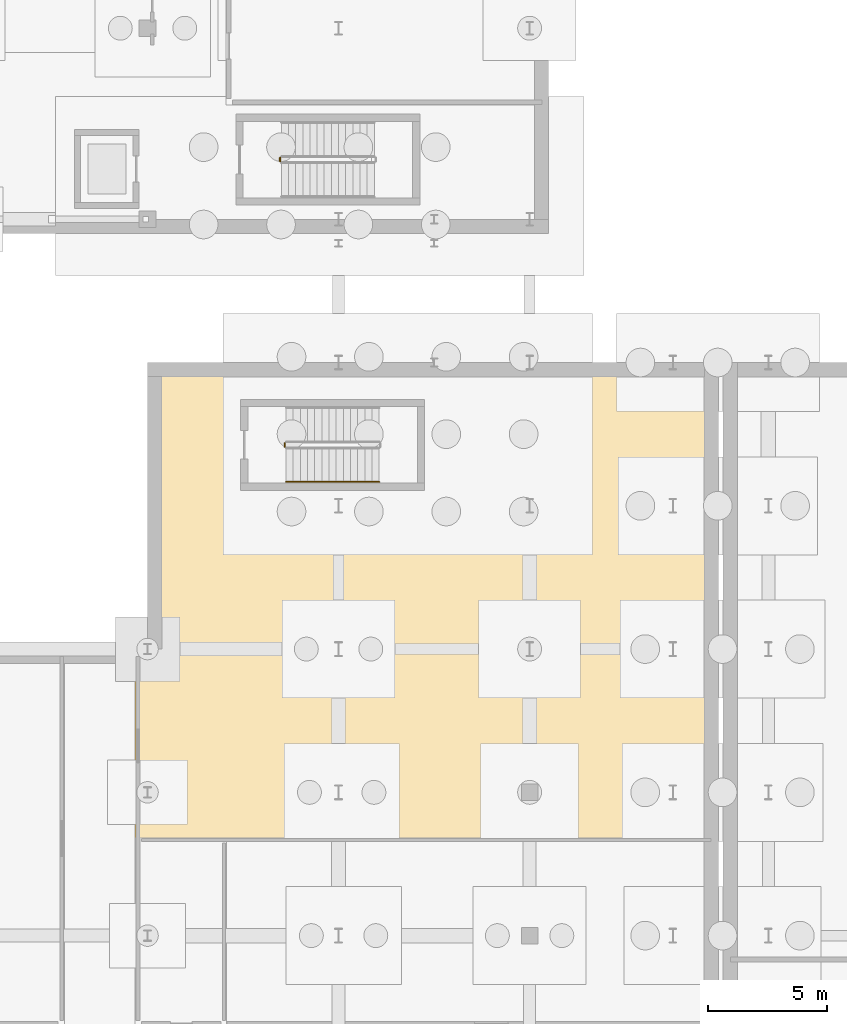
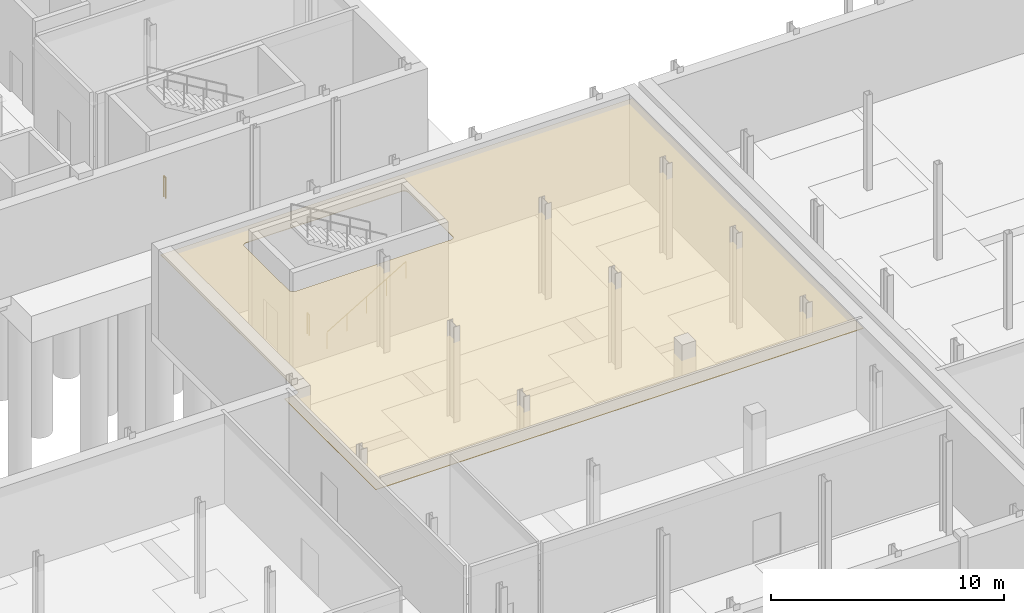
# One storey, part 35 of 47: 3 railings, 1 covering.
"""IFC4 building model written with IfcOpenShell, lengths in metres."""

from ifc_helpers import new_model, si_unit, direction, frame, origin, origin_2d, place, context, subcontext, project, spatial, polyline, circle, outline, extrude, material, layer, layer_set, type_object, element, save


model = new_model("IFC4")

# Units and contexts
model_context = context("Model", 3, precision=1e-05, world=origin(), true_north=direction((0.0, 1.0)))
body_context = subcontext(model_context, "Body", "Model", "MODEL_VIEW")
ifc_project = project(units=[si_unit("LENGTHUNIT", "METRE"), si_unit("AREAUNIT", "SQUARE_METRE"), si_unit("VOLUMEUNIT", "CUBIC_METRE"), si_unit("PLANEANGLEUNIT", "RADIAN"), si_unit("MASSUNIT", "GRAM", prefix="KILO")], contexts=[model_context])

# Site, building, storey
site_placement = place(None, origin())
site = spatial("IfcSite", under=ifc_project, at=site_placement, CompositionType="ELEMENT")
building_placement = place(site_placement, origin())
building = spatial("IfcBuilding", under=site, at=building_placement, Name="Cymarion Research Institute", CompositionType="ELEMENT")
storey_placement = place(building_placement, frame((0.0, 0.0, -5.0)))
storey = spatial("IfcBuildingStorey", under=building, at=storey_placement, Name="B1", CompositionType="ELEMENT", Elevation=-5.0)

# Covering
ifc_material_1 = material(Name="Micro-perforated mineral acoustic ceiling tile", Category="gypsum")
ifc_layer = layer(ifc_material_1, 0.030029296875)
ifc_layer_set = layer_set([ifc_layer], Name="Micro-perforated mineral acoustic ceiling tile")
covering_type = type_object("IfcCoveringType", Name="ACOUSTIC MICRO-PERFORATED SUSPENDED CEILING CLG-01", PredefinedType="CEILING", material=ifc_layer_set)
covering_placement = place(storey_placement, frame((0.0, 0.0, 4.14990234375)))
element("IfcCovering", 1, at=covering_placement, inside=storey, type_object=covering_type, Name="B1 B1 Acoustic Auditorium HVAC Plant Room acoustic ceiling", PredefinedType="CEILING", context=body_context, shape_type="SweptSolid", body=[
    extrude(outline(polyline([(30.0849609375, 21.385009765625), (30.0849609375, 29.224609375), (30.62060546875, 29.226806640625), (30.7314453125, 29.260498046875), (30.7958984375, 29.308349609375), (30.826416015625, 29.34521484375), (30.86181640625, 29.420654296875), (30.875, 29.5087890625), (30.875, 41.215087890625), (54.215087890625, 41.215087890625), (54.215087890625, 21.385009765625), (30.0849609375, 21.385009765625)]), holes=[polyline([(34.4609375, 35.953857421875), (34.48046875, 35.950927734375), (34.5, 35.949951171875), (42.199951171875, 35.949951171875), (42.219482421875, 35.950927734375), (42.239013671875, 35.953857421875), (42.258056640625, 35.95849609375), (42.276611328125, 35.965087890625), (42.294189453125, 35.9736328125), (42.31103515625, 35.983642578125), (42.326904296875, 35.995361328125), (42.34130859375, 36.008544921875), (42.3544921875, 36.023193359375), (42.3662109375, 36.038818359375), (42.37646484375, 36.0556640625), (42.384765625, 36.073486328125), (42.391357421875, 36.091796875), (42.396240234375, 36.111083984375), (42.39892578125, 36.13037109375), (42.39990234375, 36.14990234375), (42.39990234375, 39.949951171875), (42.39892578125, 39.969482421875), (42.396240234375, 39.989013671875), (42.391357421875, 40.008056640625), (42.384765625, 40.026611328125), (42.37646484375, 40.044189453125), (42.3662109375, 40.06103515625), (42.3544921875, 40.076904296875), (42.34130859375, 40.09130859375), (42.326904296875, 40.1044921875), (42.31103515625, 40.1162109375), (42.294189453125, 40.12646484375), (42.276611328125, 40.134765625), (42.258056640625, 40.141357421875), (42.239013671875, 40.146240234375), (42.219482421875, 40.14892578125), (42.199951171875, 40.14990234375), (34.5, 40.14990234375), (34.48046875, 40.14892578125), (34.4609375, 40.146240234375), (34.44189453125, 40.141357421875), (34.423583984375, 40.134765625), (34.40576171875, 40.12646484375), (34.388916015625, 40.1162109375), (34.373046875, 40.1044921875), (34.358642578125, 40.09130859375), (34.345458984375, 40.076904296875), (34.333740234375, 40.06103515625), (34.323486328125, 40.044189453125), (34.315185546875, 40.026611328125), (34.30859375, 40.008056640625), (34.3037109375, 39.989013671875), (34.301025390625, 39.969482421875), (34.300048828125, 39.949951171875), (34.300048828125, 36.14990234375), (34.301025390625, 36.13037109375), (34.3037109375, 36.111083984375), (34.30859375, 36.091796875), (34.315185546875, 36.073486328125), (34.323486328125, 36.0556640625), (34.333740234375, 36.038818359375), (34.345458984375, 36.023193359375), (34.358642578125, 36.008544921875), (34.373046875, 35.995361328125), (34.388916015625, 35.983642578125), (34.40576171875, 35.9736328125), (34.423583984375, 35.965087890625), (34.44189453125, 35.95849609375), (34.4609375, 35.953857421875)])]), origin(), (0.0, 0.0, 1.0), 0.030029296875),
])

# Railings
ifc_material_2 = material(Name="Steel S355", Category="steel")
railing_type_1 = type_object("IfcRailingType", Name="PAINTED STEEL STAIR GUARDRAIL GR1 1100MM", PredefinedType="GUARDRAIL", material=ifc_material_2)
railing_1_placement = place(storey_placement, frame((36.35009765625, 37.969970703125, 0.0)))
element("IfcRailing", 2, at=railing_1_placement, inside=storey, type_object=railing_type_1, Name="B1 ST6 stair guard 4", PredefinedType="GUARDRAIL", context=body_context, shape_type="SweptSolid", body=[
    extrude(circle(Radius=0.02392578125, at=origin_2d()), frame((0.0, 0.0, 1.076171875), z_axis=(0.0, 1.0, 0.0), x_axis=(-1.0, 0.0, 0.0)), (0.0, 0.0, 1.0), 0.159912109375),
    extrude(circle(Radius=0.02099609375, at=origin_2d()), origin(), (0.0, 0.0, 1.0), 1.052001953125),
    extrude(circle(Radius=0.02099609375, at=origin_2d()), frame((0.0, 0.159912109375, 0.0)), (0.0, 0.0, 1.0), 1.052001953125),
])
railing_2_placement = place(storey_placement, frame((36.14990234375, 49.919921875, 0.0)))
element("IfcRailing", 3, at=railing_2_placement, inside=storey, type_object=railing_type_1, Name="B1 ST7 stair guard 4", PredefinedType="GUARDRAIL", context=body_context, shape_type="SweptSolid", body=[
    extrude(circle(Radius=0.02392578125, at=origin_2d()), frame((0.0, 0.0, 1.076171875), z_axis=(0.0, 1.0, 0.0), x_axis=(-1.0, 0.0, 0.0)), (0.0, 0.0, 1.0), 0.16015625),
    extrude(circle(Radius=0.02099609375, at=origin_2d()), origin(), (0.0, 0.0, 1.0), 1.052001953125),
    extrude(circle(Radius=0.02099609375, at=origin_2d()), frame((0.0, 0.16015625, 0.0)), (0.0, 0.0, 1.0), 1.052001953125),
])
railing_type_2 = type_object("IfcRailingType", Name="STAINLESS STEEL STAIR HANDRAIL HR1 900MM", PredefinedType="HANDRAIL", material=ifc_material_2)
railing_3_placement = place(storey_placement, frame((36.39990234375, 36.5, 0.178466796875)))
element("IfcRailing", 4, at=railing_3_placement, inside=storey, type_object=railing_type_2, Name="B1 ST6 stair handrail 1", PredefinedType="HANDRAIL", context=body_context, shape_type="SweptSolid", body=[
    extrude(circle(Radius=0.02392578125, at=origin_2d()), frame((0.0, 0.0, 0.8759765625), z_axis=(0.859291195736, 0.0, 0.511486696729), x_axis=(0.0, 1.0, 0.0)), (0.0, 0.0, 1.0), 4.538818359375),
    extrude(circle(Radius=0.02099609375, at=origin_2d()), origin(), (0.0, 0.0, 1.0), 0.851806640625),
    extrude(circle(Radius=0.02099609375, at=origin_2d()), frame((0.97509765625, 0.0, 0.580322265625)), (0.0, 0.0, 1.0), 0.851806640625),
    extrude(circle(Radius=0.02099609375, at=origin_2d()), frame((1.9501953125, 0.0, 1.16064453125)), (0.0, 0.0, 1.0), 0.851806640625),
    extrude(circle(Radius=0.02099609375, at=origin_2d()), frame((2.925048828125, 0.0, 1.7412109375)), (0.0, 0.0, 1.0), 0.851806640625),
    extrude(circle(Radius=0.02099609375, at=origin_2d()), frame((3.900146484375, 0.0, 2.321533203125)), (0.0, 0.0, 1.0), 0.851806640625),
])

save(model, "model.ifc")
